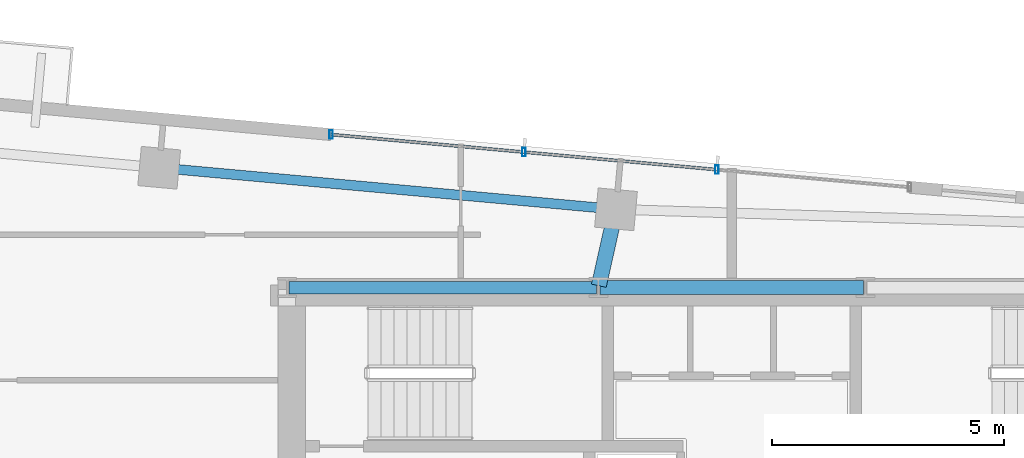
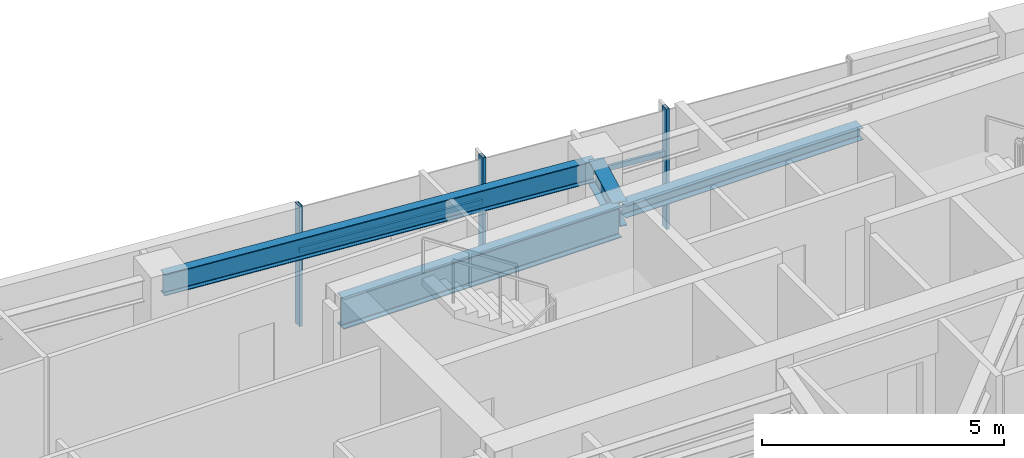
# One storey, part 10 of 22: 5 members, 4 beams, 1 element without a shape of its own.
"""IFC4 building model written with IfcOpenShell, lengths in metres."""

import ifcopenshell
import ifcopenshell.guid

model = None  # the IFC model being written
_history = None  # IfcOwnerHistory: only IFC2X3 demands one
_inside = {}  # id of a spatial element -> (the spatial element, [elements in it])
_under = {}  # id of a project, library or spatial element -> (it, [spatial elements below it])
_declared = {}  # id of a project -> (the project, [libraries it declares])
_typed = {}  # id of a type object -> (the type object, [elements of that type])
_made_of = {}  # id of a material, layer set ... -> (it, [elements and type objects made of it])


def new_model(schema):
    """Start an empty IFC model of exactly this schema.

    Asked for "IFC4X3", IfcOpenShell would pick the latest addendum, in which some entities
    have other attributes; the version numbers below select the first issue.
    IFC2X3 requires an IfcOwnerHistory on every rooted entity: one is made here for all.
    """
    global model, _history
    if schema == "IFC4X3":
        model = ifcopenshell.file(schema_version=(4, 3, 0, 0))
    else:
        model = ifcopenshell.file(schema=schema)
    _inside.clear()
    _under.clear()
    _declared.clear()
    _typed.clear()
    _made_of.clear()
    _history = None
    if model.schema == "IFC2X3":
        org = make("IfcOrganization", Name="unknown")
        user = make(
            "IfcPersonAndOrganization",
            ThePerson=make("IfcPerson", FamilyName="unknown"),
            TheOrganization=org,
        )
        app = make(
            "IfcApplication",
            ApplicationDeveloper=org,
            Version="unknown",
            ApplicationFullName="unknown",
            ApplicationIdentifier="unknown",
        )
        _history = make(
            "IfcOwnerHistory",
            OwningUser=user,
            OwningApplication=app,
            ChangeAction="ADDED",
            CreationDate=0,
        )
    return model


def make(cls, **values):
    """One entity of the class cls with the attributes given. An attribute that is None is left unset."""
    return model.create_entity(
        cls, **{name: value for name, value in values.items() if value is not None}
    )


def rooted(cls, **values):
    """An entity with a GlobalId (a new one), such as an element, a storey or a relation."""
    return make(cls, GlobalId=ifcopenshell.guid.new(), OwnerHistory=_history, **values)


def si_unit(unit_type, name, prefix=None):
    """IfcSIUnit, for example si_unit("LENGTHUNIT", "METRE", prefix="MILLI")."""
    return make("IfcSIUnit", UnitType=unit_type, Prefix=prefix, Name=name)


def assignment(units):
    """IfcUnitAssignment: the units of a project."""
    return None if units is None else make("IfcUnitAssignment", Units=units)


def point(xyz):
    """IfcCartesianPoint."""
    return None if xyz is None else make("IfcCartesianPoint", Coordinates=xyz)


def direction(xyz):
    """IfcDirection."""
    return None if xyz is None else make("IfcDirection", DirectionRatios=xyz)


def frame(location, z_axis=None, x_axis=None):
    """IfcAxis2Placement3D, a coordinate frame: its origin and axes. An axis left out is left unset."""
    return make(
        "IfcAxis2Placement3D",
        Location=point(location),
        Axis=direction(z_axis),
        RefDirection=direction(x_axis),
    )


def frame_2d(location, x_axis=None):
    """IfcAxis2Placement2D, a coordinate frame in the plane: its origin and x axis."""
    return make(
        "IfcAxis2Placement2D", Location=point(location), RefDirection=direction(x_axis)
    )


def origin():
    """The frame at (0, 0, 0) with its axes left unset."""
    return frame((0.0, 0.0, 0.0))


def origin_2d():
    """The frame at (0, 0) in the plane with its x axis left unset."""
    return frame_2d((0.0, 0.0))


def place(relative_to, where):
    """IfcLocalPlacement: puts the frame where relative to a parent placement (None: the world)."""
    return make(
        "IfcLocalPlacement", PlacementRelTo=relative_to, RelativePlacement=where
    )


def context(
    kind, dimensions, precision=None, world=None, true_north=None, identifier=None
):
    """IfcGeometricRepresentationContext, for example the 3D "Model" context."""
    return make(
        "IfcGeometricRepresentationContext",
        ContextIdentifier=identifier,
        ContextType=kind,
        CoordinateSpaceDimension=dimensions,
        Precision=precision,
        WorldCoordinateSystem=world,
        TrueNorth=true_north,
    )


def subcontext(parent, identifier, kind, view, scale=None):
    """IfcGeometricRepresentationSubContext, for example "Body" below "Model"."""
    return make(
        "IfcGeometricRepresentationSubContext",
        ContextIdentifier=identifier,
        ContextType=kind,
        ParentContext=parent,
        TargetScale=scale,
        TargetView=view,
    )


def project(units=None, contexts=None):
    """IfcProject with its units and contexts."""
    return rooted(
        "IfcProject",
        Name="project",
        RepresentationContexts=contexts,
        UnitsInContext=assignment(units),
    )


def spatial(cls, under=None, at=None, **own):
    """A site, building, storey or space (cls), placed at a placement, below another one or the project."""
    s = rooted(cls, ObjectPlacement=at, **own)
    if under is not None:
        _under.setdefault(under.id(), (under, []))[1].append(s)
    return s


def profile(cls, at=None, kind="AREA", **sizes):
    """A parametric profile (cls). Its sizes go by their IFC names, for example OverallWidth=200.0."""
    return make(cls, ProfileType=kind, Position=at, **sizes)


def hollow_rectangle(**sizes):
    """IfcRectangleHollowProfileDef."""
    return profile("IfcRectangleHollowProfileDef", **sizes)


def i_section(**sizes):
    """IfcIShapeProfileDef."""
    return profile("IfcIShapeProfileDef", **sizes)


def extrude(swept, where, along, depth):
    """IfcExtrudedAreaSolid: the profile swept, set in the frame where, extruded along a direction by depth."""
    return make(
        "IfcExtrudedAreaSolid",
        SweptArea=swept,
        Position=where,
        ExtrudedDirection=direction(along),
        Depth=depth,
    )


def shape(context_of_items, identifier, shape_type, items):
    """IfcShapeRepresentation: the items that make up one representation, for example the "Body"."""
    return make(
        "IfcShapeRepresentation",
        ContextOfItems=context_of_items,
        RepresentationIdentifier=identifier,
        RepresentationType=shape_type,
        Items=items,
    )


def source(mapping_origin, context_of_items, identifier, shape_type, items):
    """IfcRepresentationMap: a shape defined once, which mapped items show again and again."""
    return make(
        "IfcRepresentationMap",
        MappingOrigin=mapping_origin,
        MappedRepresentation=shape(context_of_items, identifier, shape_type, items),
    )


def transform(
    local_origin,
    x_axis=None,
    y_axis=None,
    z_axis=None,
    scale=None,
    scale2=None,
    scale3=None,
    uniform=True,
):
    """IfcCartesianTransformationOperator3D, or its non-uniform kind. x_axis, y_axis, z_axis: its Axis1, 2, 3."""
    if uniform:
        return make(
            "IfcCartesianTransformationOperator3D",
            Axis1=direction(x_axis),
            Axis2=direction(y_axis),
            LocalOrigin=point(local_origin),
            Scale=scale,
            Axis3=direction(z_axis),
        )
    return make(
        "IfcCartesianTransformationOperator3DnonUniform",
        Axis1=direction(x_axis),
        Axis2=direction(y_axis),
        LocalOrigin=point(local_origin),
        Scale=scale,
        Axis3=direction(z_axis),
        Scale2=scale2,
        Scale3=scale3,
    )


def mapped(mapping_source, mapping_target):
    """IfcMappedItem: shows the shape of a source again, moved by a transform."""
    return make(
        "IfcMappedItem", MappingSource=mapping_source, MappingTarget=mapping_target
    )


def material(Name=None, Category=None):
    """IfcMaterial."""
    return make("IfcMaterial", Name=Name, Category=Category)


def material_profile(
    of_material, cross_section, Name=None, Category=None, Priority=None
):
    """IfcMaterialProfile: a cross section and its material."""
    return make(
        "IfcMaterialProfile",
        Name=Name,
        Material=of_material,
        Profile=cross_section,
        Priority=Priority,
        Category=Category,
    )


def profile_set(profiles, Name=None, composite=None):
    """IfcMaterialProfileSet."""
    return make(
        "IfcMaterialProfileSet",
        Name=Name,
        MaterialProfiles=profiles,
        CompositeProfile=composite,
    )


def made_of(thing, what):
    """Note that an element or type object is made of a material, layer set ...; save() writes the relation."""
    if what is not None:
        _made_of.setdefault(what.id(), (what, []))[1].append(thing)
    return thing


def type_object(cls, material=None, **own):
    """A type object (cls), such as IfcWallType, which elements share."""
    return made_of(rooted(cls, **own), material)


def type_shapes(of_type, sources):
    """Give a type object the sources (RepresentationMaps) that its elements show as mapped items."""
    of_type.RepresentationMaps = sources


def element(
    cls,
    number,
    at=None,
    inside=None,
    cuts=None,
    type_object=None,
    material=None,
    context=None,
    identifier="Body",
    shape_type=None,
    held_by="IfcProductDefinitionShape",
    body=None,
    shapes=None,
    **own,
):
    """One element of the class cls, such as IfcWall. Its Tag is "e" and its number.

    at: its placement. inside: the storey or other place that contains it. cuts: it is an
    opening in that element (IfcRelVoidsElement). A single representation is given by context,
    identifier, shape_type and body (its items); several are given by shapes. held_by: the class
    of the entity that holds the representations. save() writes the other relations.
    """
    e = rooted(cls, Tag="e%d" % number, ObjectPlacement=at, **own)
    if body is not None:
        shapes = [shape(context, identifier, shape_type, body)]
    if shapes is not None:
        e.Representation = make(held_by, Representations=shapes)
    if inside is not None:
        _inside.setdefault(inside.id(), (inside, []))[1].append(e)
    if cuts is not None:
        rooted(
            "IfcRelVoidsElement", RelatingBuildingElement=cuts, RelatedOpeningElement=e
        )
    if type_object is not None:
        _typed.setdefault(type_object.id(), (type_object, []))[1].append(e)
    return made_of(e, material)


def aggregate(whole, parts):
    """IfcRelAggregates: a whole, such as a stair, and the parts it consists of."""
    return rooted("IfcRelAggregates", RelatingObject=whole, RelatedObjects=parts)


def save(model, path):
    """Write the relations noted so far, then the file.

    IfcRelAggregates (storeys below a building ...), IfcRelContainedInSpatialStructure (elements
    in a storey), IfcRelDefinesByType, IfcRelAssociatesMaterial and IfcRelDeclares: one each for
    every whole, place, type object, material and project.
    """
    for whole, parts in _under.values():
        aggregate(whole, parts)
    for where, things in _inside.values():
        rooted(
            "IfcRelContainedInSpatialStructure",
            RelatedElements=things,
            RelatingStructure=where,
        )
    for kind, things in _typed.values():
        rooted("IfcRelDefinesByType", RelatedObjects=things, RelatingType=kind)
    for what, things in _made_of.values():
        rooted("IfcRelAssociatesMaterial", RelatedObjects=things, RelatingMaterial=what)
    for by, libraries in _declared.values():
        rooted("IfcRelDeclares", RelatingContext=by, RelatedDefinitions=libraries)
    model.write(path)


model = new_model("IFC4")

# Units and contexts
model_context = context("Model", 3, precision=1e-05, world=origin(), true_north=direction((0.0, 1.0)))
body_context = subcontext(model_context, "Body", "Model", "MODEL_VIEW")
ifc_project = project(units=[si_unit("LENGTHUNIT", "METRE"), si_unit("AREAUNIT", "SQUARE_METRE"), si_unit("VOLUMEUNIT", "CUBIC_METRE"), si_unit("PLANEANGLEUNIT", "RADIAN"), si_unit("MASSUNIT", "GRAM", prefix="KILO")], contexts=[model_context])

# Site, building, storey
site_placement = place(None, origin())
site = spatial("IfcSite", under=ifc_project, at=site_placement, CompositionType="ELEMENT")
building_placement = place(site_placement, origin())
building = spatial("IfcBuilding", under=site, at=building_placement, Name="Astriad Promenade Condominiums", CompositionType="ELEMENT")
storey_placement = place(building_placement, frame((0.0, 0.0, 233.10009765625)))
storey = spatial("IfcBuildingStorey", under=building, at=storey_placement, Name="L67", CompositionType="ELEMENT", Elevation=233.10009765625)

# Beams
ifc_material_1 = material(Name="Steel ASTM A992 Grade 50", Category="steel")
ifc_material_profile_1 = material_profile(ifc_material_1, i_section(OverallWidth=0.267822265625, OverallDepth=0.76953125, WebThickness=0.015625, FlangeThickness=0.025390625, FilletRadius=0.021484375, at=origin_2d()), Name="W30X132")
ifc_profile_set_1 = profile_set([ifc_material_profile_1], Name="Steel ASTM A992 Grade 50")
beam_type_1 = type_object("IfcBeamType", Name="STEEL FLOOR GIRDER W30X132", PredefinedType="BEAM", material=ifc_profile_set_1)
shared_shape_1 = source(origin(), body_context, "Body", "SweptSolid", [
    extrude(i_section(OverallWidth=0.267822265625, OverallDepth=0.76953125, WebThickness=0.015625, FlangeThickness=0.025390625, FilletRadius=0.021484375, at=origin_2d()), origin(), (0.0, 0.0, 1.0), 6.64013671875),
])
type_shapes(beam_type_1, [shared_shape_1])
beam_1_placement = place(storey_placement, frame((26.43994140625, 24.0, 2.655029296875), z_axis=(1.0, 0.0, 0.0), x_axis=(0.0, 1.0, 0.0)))
element("IfcBeam", 1, at=beam_1_placement, inside=storey, type_object=beam_type_1, Name="Core Ring Beam CG-N1-L67", PredefinedType="BEAM", context=body_context, shape_type="MappedRepresentation", body=[
    mapped(shared_shape_1, transform((0.0, 0.0, 0.0), scale=1.0)),
])
ifc_material_profile_2 = material_profile(ifc_material_1, i_section(OverallWidth=0.3046875, OverallDepth=0.307861328125, WebThickness=0.010009765625, FlangeThickness=0.015380859375, FilletRadius=0.01513671875, at=origin_2d()), Name="W12X65")
ifc_profile_set_2 = profile_set([ifc_material_profile_2], Name="Steel ASTM A992 Grade 50")
beam_type_2 = type_object("IfcBeamType", Name="STEEL OPENING LINTEL W12X65", PredefinedType="LINTEL", material=ifc_profile_set_2)
shared_shape_2 = source(origin(), body_context, "Body", "SweptSolid", [
    extrude(i_section(OverallWidth=0.3046875, OverallDepth=0.307861328125, WebThickness=0.010009765625, FlangeThickness=0.015380859375, FilletRadius=0.01513671875, at=origin_2d()), origin(), (0.0, 0.0, 1.0), 5.68017578125),
])
type_shapes(beam_type_2, [shared_shape_2])
beam_2_placement = place(storey_placement, frame((33.159912109375, 24.0, 2.885986328125), z_axis=(1.0, 0.0, 0.0), x_axis=(0.0, 1.0, 0.0)))
element("IfcBeam", 2, at=beam_2_placement, inside=storey, type_object=beam_type_2, Name="Core Ring Beam CG-N2-L67", PredefinedType="LINTEL", context=body_context, shape_type="MappedRepresentation", body=[
    mapped(shared_shape_2, transform((0.0, 0.0, 0.0), scale=1.0)),
])
ifc_material_profile_3 = material_profile(ifc_material_1, i_section(OverallWidth=0.210693359375, OverallDepth=0.53955078125, WebThickness=0.01171875, FlangeThickness=0.018798828125, FilletRadius=0.0166015625, at=origin_2d()), Name="W21X73")
ifc_profile_set_3 = profile_set([ifc_material_profile_3], Name="Steel ASTM A992 Grade 50")
beam_type_3 = type_object("IfcBeamType", Name="STEEL SPANDREL BEAM W21X73", PredefinedType="SPANDREL", material=ifc_profile_set_3)
shared_shape_3 = source(origin(), body_context, "Body", "SweptSolid", [
    extrude(i_section(OverallWidth=0.210693359375, OverallDepth=0.53955078125, WebThickness=0.01171875, FlangeThickness=0.018798828125, FilletRadius=0.0166015625, at=origin_2d()), origin(), (0.0, 0.0, 1.0), 9.820068359375),
])
type_shapes(beam_type_3, [shared_shape_3])
beam_3_placement = place(storey_placement, frame((33.4599609375, 25.69189453125, 2.77001953125), z_axis=(-0.995885663174, 0.090618683965, 0.0), x_axis=(-0.090618683965, -0.995885663174, 0.0)))
element("IfcBeam", 3, at=beam_3_placement, inside=storey, type_object=beam_type_3, Name="Perimeter Spandrel Beam SP-N2-L67", PredefinedType="SPANDREL", context=body_context, shape_type="MappedRepresentation", body=[
    mapped(shared_shape_3, transform((0.0, 0.0, 0.0), scale=1.0)),
])
ifc_material_profile_4 = material_profile(ifc_material_1, i_section(OverallWidth=0.326416015625, OverallDepth=0.621826171875, WebThickness=0.015380859375, FlangeThickness=0.0244140625, FilletRadius=0.017822265625, at=origin_2d()), Name="W24X131")
ifc_profile_set_4 = profile_set([ifc_material_profile_4], Name="Steel ASTM A992 Grade 50")
beam_type_4 = type_object("IfcBeamType", Name="STEEL FLOOR GIRDER W24X131", PredefinedType="BEAM", material=ifc_profile_set_4)
shared_shape_4 = source(origin(), body_context, "Body", "SweptSolid", [
    extrude(i_section(OverallWidth=0.326416015625, OverallDepth=0.621826171875, WebThickness=0.015380859375, FlangeThickness=0.0244140625, FilletRadius=0.017822265625, at=origin_2d()), origin(), (0.0, 0.0, 1.0), 1.650390625),
])
type_shapes(beam_type_4, [shared_shape_4])
beam_4_placement = place(storey_placement, frame((33.490966796875, 25.649169921875, 2.72900390625), z_axis=(-0.219388986766, -0.975637469804, 0.0), x_axis=(0.975637469804, -0.219388986766, 0.0)))
element("IfcBeam", 4, at=beam_4_placement, inside=storey, type_object=beam_type_4, Name="Primary Floor Girder PG-NC-L67", PredefinedType="BEAM", context=body_context, shape_type="MappedRepresentation", body=[
    mapped(shared_shape_4, transform((0.0, 0.0, 0.0), scale=1.0)),
])

# Curtain wall, members
ifc_material_2 = material(Name="Anodised aluminium Black Dark Glass Unitised", Category="aluminium")
curtain_wall_type = type_object("IfcCurtainWallType", Name="CW-B5-DARK", PredefinedType="USERDEFINED", material=ifc_material_2)
curtain_wall_placement = place(storey_placement, origin())
curtain_wall = element("IfcCurtainWall", 5, at=curtain_wall_placement, inside=storey, type_object=curtain_wall_type, Name="CW-L67-N", ObjectType="UNITISED_CURTAIN_WALL", PredefinedType="USERDEFINED")
ifc_material_3 = material(Name="Anodised aluminium 6063-T6 Black", Category="aluminium")
ifc_material_profile_5 = material_profile(ifc_material_3, hollow_rectangle(XDim=0.074951171875, YDim=0.18505859375, WallThickness=0.00439453125, at=origin_2d()), Name="ALU-MUL-75X185")
ifc_profile_set_5 = profile_set([ifc_material_profile_5], Name="Anodised aluminium 6063-T6 Black")
member_type_1 = type_object("IfcMemberType", Name="MUL-ALU-MUL-75X185", PredefinedType="MULLION", material=ifc_profile_set_5)
shared_shape_5 = source(origin(), body_context, "Body", "SweptSolid", [
    extrude(hollow_rectangle(XDim=0.074951171875, YDim=0.18505859375, WallThickness=0.00439453125, at=origin_2d()), origin(), (0.0, 0.0, 1.0), 3.039794921875),
])
type_shapes(member_type_1, [shared_shape_5])
member_1_placement = place(storey_placement, frame((27.3505859375, 27.30224609375, 0.0), z_axis=(0.0, 0.0, 1.0), x_axis=(1.0, 0.0, 0.0)))
member_1 = element("IfcMember", 6, at=member_1_placement, type_object=member_type_1, Name="CW-L67-N-MUL-00", PredefinedType="MULLION", context=body_context, shape_type="MappedRepresentation", body=[
    mapped(shared_shape_5, transform((0.0, 0.0, 0.0), scale=1.0)),
])
member_2_placement = place(storey_placement, frame((31.513427734375, 26.92333984375, 0.0), z_axis=(0.0, 0.0, 1.0), x_axis=(1.0, 0.0, 0.0)))
member_2 = element("IfcMember", 7, at=member_2_placement, type_object=member_type_1, Name="CW-L67-N-MUL-01", PredefinedType="MULLION", context=body_context, shape_type="MappedRepresentation", body=[
    mapped(shared_shape_5, transform((0.0, 0.0, 0.0), scale=1.0)),
])
member_3_placement = place(storey_placement, frame((35.67626953125, 26.54443359375, 0.0), z_axis=(0.0, 0.0, 1.0), x_axis=(1.0, 0.0, 0.0)))
member_3 = element("IfcMember", 8, at=member_3_placement, type_object=member_type_1, Name="CW-L67-N-MUL-02", PredefinedType="MULLION", context=body_context, shape_type="MappedRepresentation", body=[
    mapped(shared_shape_5, transform((0.0, 0.0, 0.0), scale=1.0)),
])
ifc_material_profile_6 = material_profile(ifc_material_3, hollow_rectangle(XDim=0.06494140625, YDim=0.1298828125, WallThickness=0.00390625, at=origin_2d()), Name="ALU-TRN-65X130")
ifc_profile_set_6 = profile_set([ifc_material_profile_6], Name="Anodised aluminium 6063-T6 Black")
member_type_2 = type_object("IfcMemberType", Name="TRN-ALU-TRN-65X130", PredefinedType="USERDEFINED", material=ifc_profile_set_6)
shared_shape_6 = source(origin(), body_context, "Body", "SweptSolid", [
    extrude(hollow_rectangle(XDim=0.06494140625, YDim=0.1298828125, WallThickness=0.00390625, at=origin_2d()), origin(), (0.0, 0.0, 1.0), 4.179931640625),
])
type_shapes(member_type_2, [shared_shape_6])
member_4_placement = place(storey_placement, frame((27.3505859375, 27.30224609375, 1.884765625), z_axis=(0.995883146811, -0.090646334165, 0.0), x_axis=(0.090646334165, 0.995883146811, 0.0)))
member_4 = element("IfcMember", 9, at=member_4_placement, type_object=member_type_2, Name="CW-L67-N-TRN-00-0", ObjectType="TRANSOM", PredefinedType="USERDEFINED", context=body_context, shape_type="MappedRepresentation", body=[
    mapped(shared_shape_6, transform((0.0, 0.0, 0.0), scale=1.0)),
])
member_5_placement = place(storey_placement, frame((31.513427734375, 26.92333984375, 1.884765625), z_axis=(0.995883146811, -0.090646334165, 0.0), x_axis=(0.090646334165, 0.995883146811, 0.0)))
member_5 = element("IfcMember", 10, at=member_5_placement, type_object=member_type_2, Name="CW-L67-N-TRN-01-0", ObjectType="TRANSOM", PredefinedType="USERDEFINED", context=body_context, shape_type="MappedRepresentation", body=[
    mapped(shared_shape_6, transform((0.0, 0.0, 0.0), scale=1.0)),
])
aggregate(curtain_wall, [member_1, member_2, member_3, member_4, member_5])

save(model, "model.ifc")
